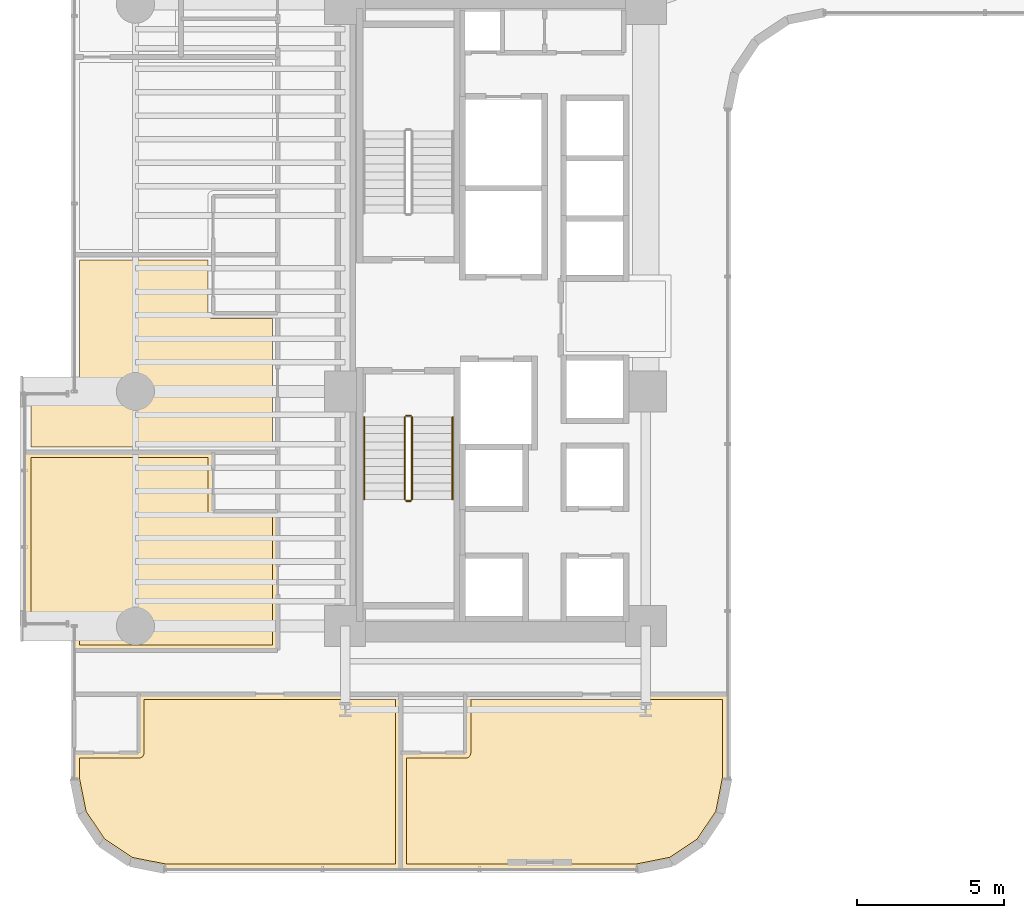
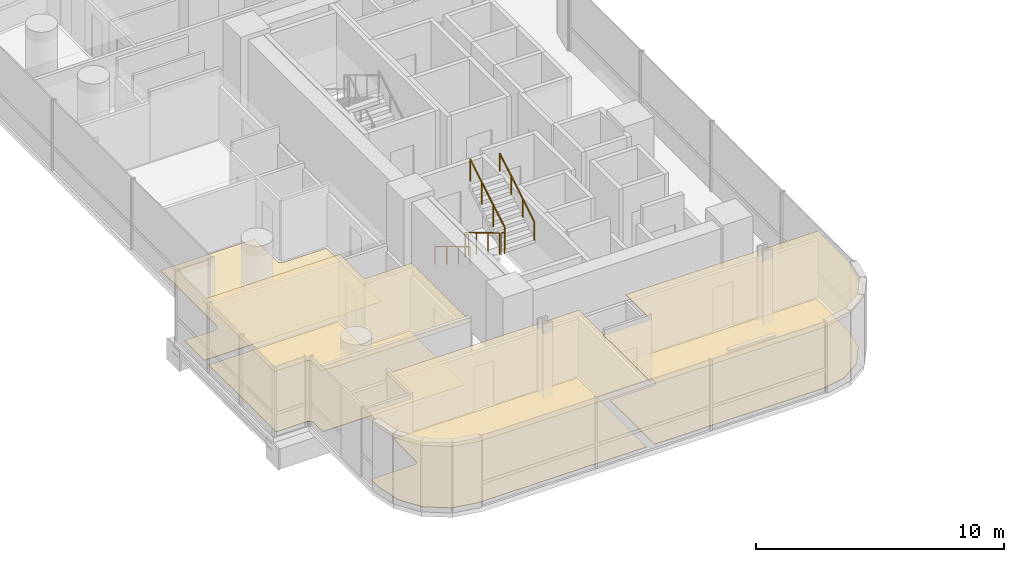
# One storey, part 36 of 41: 7 coverings, 6 railings.
"""IFC4 building model written with IfcOpenShell, lengths in metres."""

import ifcopenshell
import ifcopenshell.guid

model = None  # the IFC model being written
_history = None  # IfcOwnerHistory: only IFC2X3 demands one
_inside = {}  # id of a spatial element -> (the spatial element, [elements in it])
_under = {}  # id of a project, library or spatial element -> (it, [spatial elements below it])
_declared = {}  # id of a project -> (the project, [libraries it declares])
_typed = {}  # id of a type object -> (the type object, [elements of that type])
_made_of = {}  # id of a material, layer set ... -> (it, [elements and type objects made of it])


def new_model(schema):
    """Start an empty IFC model of exactly this schema.

    Asked for "IFC4X3", IfcOpenShell would pick the latest addendum, in which some entities
    have other attributes; the version numbers below select the first issue.
    IFC2X3 requires an IfcOwnerHistory on every rooted entity: one is made here for all.
    """
    global model, _history
    if schema == "IFC4X3":
        model = ifcopenshell.file(schema_version=(4, 3, 0, 0))
    else:
        model = ifcopenshell.file(schema=schema)
    _inside.clear()
    _under.clear()
    _declared.clear()
    _typed.clear()
    _made_of.clear()
    _history = None
    if model.schema == "IFC2X3":
        org = make("IfcOrganization", Name="unknown")
        user = make(
            "IfcPersonAndOrganization",
            ThePerson=make("IfcPerson", FamilyName="unknown"),
            TheOrganization=org,
        )
        app = make(
            "IfcApplication",
            ApplicationDeveloper=org,
            Version="unknown",
            ApplicationFullName="unknown",
            ApplicationIdentifier="unknown",
        )
        _history = make(
            "IfcOwnerHistory",
            OwningUser=user,
            OwningApplication=app,
            ChangeAction="ADDED",
            CreationDate=0,
        )
    return model


def make(cls, **values):
    """One entity of the class cls with the attributes given. An attribute that is None is left unset."""
    return model.create_entity(
        cls, **{name: value for name, value in values.items() if value is not None}
    )


def rooted(cls, **values):
    """An entity with a GlobalId (a new one), such as an element, a storey or a relation."""
    return make(cls, GlobalId=ifcopenshell.guid.new(), OwnerHistory=_history, **values)


def si_unit(unit_type, name, prefix=None):
    """IfcSIUnit, for example si_unit("LENGTHUNIT", "METRE", prefix="MILLI")."""
    return make("IfcSIUnit", UnitType=unit_type, Prefix=prefix, Name=name)


def assignment(units):
    """IfcUnitAssignment: the units of a project."""
    return None if units is None else make("IfcUnitAssignment", Units=units)


def point(xyz):
    """IfcCartesianPoint."""
    return None if xyz is None else make("IfcCartesianPoint", Coordinates=xyz)


def direction(xyz):
    """IfcDirection."""
    return None if xyz is None else make("IfcDirection", DirectionRatios=xyz)


def frame(location, z_axis=None, x_axis=None):
    """IfcAxis2Placement3D, a coordinate frame: its origin and axes. An axis left out is left unset."""
    return make(
        "IfcAxis2Placement3D",
        Location=point(location),
        Axis=direction(z_axis),
        RefDirection=direction(x_axis),
    )


def frame_2d(location, x_axis=None):
    """IfcAxis2Placement2D, a coordinate frame in the plane: its origin and x axis."""
    return make(
        "IfcAxis2Placement2D", Location=point(location), RefDirection=direction(x_axis)
    )


def origin():
    """The frame at (0, 0, 0) with its axes left unset."""
    return frame((0.0, 0.0, 0.0))


def origin_2d():
    """The frame at (0, 0) in the plane with its x axis left unset."""
    return frame_2d((0.0, 0.0))


def place(relative_to, where):
    """IfcLocalPlacement: puts the frame where relative to a parent placement (None: the world)."""
    return make(
        "IfcLocalPlacement", PlacementRelTo=relative_to, RelativePlacement=where
    )


def context(
    kind, dimensions, precision=None, world=None, true_north=None, identifier=None
):
    """IfcGeometricRepresentationContext, for example the 3D "Model" context."""
    return make(
        "IfcGeometricRepresentationContext",
        ContextIdentifier=identifier,
        ContextType=kind,
        CoordinateSpaceDimension=dimensions,
        Precision=precision,
        WorldCoordinateSystem=world,
        TrueNorth=true_north,
    )


def subcontext(parent, identifier, kind, view, scale=None):
    """IfcGeometricRepresentationSubContext, for example "Body" below "Model"."""
    return make(
        "IfcGeometricRepresentationSubContext",
        ContextIdentifier=identifier,
        ContextType=kind,
        ParentContext=parent,
        TargetScale=scale,
        TargetView=view,
    )


def project(units=None, contexts=None):
    """IfcProject with its units and contexts."""
    return rooted(
        "IfcProject",
        Name="project",
        RepresentationContexts=contexts,
        UnitsInContext=assignment(units),
    )


def spatial(cls, under=None, at=None, **own):
    """A site, building, storey or space (cls), placed at a placement, below another one or the project."""
    s = rooted(cls, ObjectPlacement=at, **own)
    if under is not None:
        _under.setdefault(under.id(), (under, []))[1].append(s)
    return s


def polyline(points):
    """IfcPolyline through the points."""
    return make("IfcPolyline", Points=[point(p) for p in points])


def profile(cls, at=None, kind="AREA", **sizes):
    """A parametric profile (cls). Its sizes go by their IFC names, for example OverallWidth=200.0."""
    return make(cls, ProfileType=kind, Position=at, **sizes)


def circle(**sizes):
    """IfcCircleProfileDef."""
    return profile("IfcCircleProfileDef", **sizes)


def outline(outer, holes=None, kind="AREA"):
    """IfcArbitraryClosedProfileDef: a profile drawn as a closed curve; with holes, ...WithVoids."""
    if holes is None:
        return make("IfcArbitraryClosedProfileDef", ProfileType=kind, OuterCurve=outer)
    return make(
        "IfcArbitraryProfileDefWithVoids",
        ProfileType=kind,
        OuterCurve=outer,
        InnerCurves=holes,
    )


def extrude(swept, where, along, depth):
    """IfcExtrudedAreaSolid: the profile swept, set in the frame where, extruded along a direction by depth."""
    return make(
        "IfcExtrudedAreaSolid",
        SweptArea=swept,
        Position=where,
        ExtrudedDirection=direction(along),
        Depth=depth,
    )


def shape(context_of_items, identifier, shape_type, items):
    """IfcShapeRepresentation: the items that make up one representation, for example the "Body"."""
    return make(
        "IfcShapeRepresentation",
        ContextOfItems=context_of_items,
        RepresentationIdentifier=identifier,
        RepresentationType=shape_type,
        Items=items,
    )


def material(Name=None, Category=None):
    """IfcMaterial."""
    return make("IfcMaterial", Name=Name, Category=Category)


def layer(
    of_material, thickness, ventilated=None, Name=None, Category=None, Priority=None
):
    """IfcMaterialLayer: one layer of a wall or slab, of a material (None: an air gap)."""
    return make(
        "IfcMaterialLayer",
        Material=of_material,
        LayerThickness=thickness,
        IsVentilated=ventilated,
        Name=Name,
        Category=Category,
        Priority=Priority,
    )


def layer_set(layers, Name=None):
    """IfcMaterialLayerSet."""
    return make("IfcMaterialLayerSet", MaterialLayers=layers, LayerSetName=Name)


def made_of(thing, what):
    """Note that an element or type object is made of a material, layer set ...; save() writes the relation."""
    if what is not None:
        _made_of.setdefault(what.id(), (what, []))[1].append(thing)
    return thing


def type_object(cls, material=None, **own):
    """A type object (cls), such as IfcWallType, which elements share."""
    return made_of(rooted(cls, **own), material)


def element(
    cls,
    number,
    at=None,
    inside=None,
    cuts=None,
    type_object=None,
    material=None,
    context=None,
    identifier="Body",
    shape_type=None,
    held_by="IfcProductDefinitionShape",
    body=None,
    shapes=None,
    **own,
):
    """One element of the class cls, such as IfcWall. Its Tag is "e" and its number.

    at: its placement. inside: the storey or other place that contains it. cuts: it is an
    opening in that element (IfcRelVoidsElement). A single representation is given by context,
    identifier, shape_type and body (its items); several are given by shapes. held_by: the class
    of the entity that holds the representations. save() writes the other relations.
    """
    e = rooted(cls, Tag="e%d" % number, ObjectPlacement=at, **own)
    if body is not None:
        shapes = [shape(context, identifier, shape_type, body)]
    if shapes is not None:
        e.Representation = make(held_by, Representations=shapes)
    if inside is not None:
        _inside.setdefault(inside.id(), (inside, []))[1].append(e)
    if cuts is not None:
        rooted(
            "IfcRelVoidsElement", RelatingBuildingElement=cuts, RelatedOpeningElement=e
        )
    if type_object is not None:
        _typed.setdefault(type_object.id(), (type_object, []))[1].append(e)
    return made_of(e, material)


def aggregate(whole, parts):
    """IfcRelAggregates: a whole, such as a stair, and the parts it consists of."""
    return rooted("IfcRelAggregates", RelatingObject=whole, RelatedObjects=parts)


def save(model, path):
    """Write the relations noted so far, then the file.

    IfcRelAggregates (storeys below a building ...), IfcRelContainedInSpatialStructure (elements
    in a storey), IfcRelDefinesByType, IfcRelAssociatesMaterial and IfcRelDeclares: one each for
    every whole, place, type object, material and project.
    """
    for whole, parts in _under.values():
        aggregate(whole, parts)
    for where, things in _inside.values():
        rooted(
            "IfcRelContainedInSpatialStructure",
            RelatedElements=things,
            RelatingStructure=where,
        )
    for kind, things in _typed.values():
        rooted("IfcRelDefinesByType", RelatedObjects=things, RelatingType=kind)
    for what, things in _made_of.values():
        rooted("IfcRelAssociatesMaterial", RelatedObjects=things, RelatingMaterial=what)
    for by, libraries in _declared.values():
        rooted("IfcRelDeclares", RelatingContext=by, RelatedDefinitions=libraries)
    model.write(path)


model = new_model("IFC4")

# Units and contexts
model_context = context("Model", 3, precision=1e-05, world=origin(), true_north=direction((0.0, 1.0)))
body_context = subcontext(model_context, "Body", "Model", "MODEL_VIEW")
ifc_project = project(units=[si_unit("LENGTHUNIT", "METRE"), si_unit("AREAUNIT", "SQUARE_METRE"), si_unit("VOLUMEUNIT", "CUBIC_METRE"), si_unit("PLANEANGLEUNIT", "RADIAN"), si_unit("MASSUNIT", "GRAM", prefix="KILO")], contexts=[model_context])

# Site, building, storey
site_placement = place(None, origin())
site = spatial("IfcSite", under=ifc_project, at=site_placement, CompositionType="ELEMENT")
building_placement = place(site_placement, origin())
building = spatial("IfcBuilding", under=site, at=building_placement, Name="Valdorenza Pilgrim Sanctuary Tower", CompositionType="ELEMENT")
storey_placement = place(building_placement, frame((0.0, 0.0, 59.300048828125)))
storey = spatial("IfcBuildingStorey", under=building, at=storey_placement, Name="L14", CompositionType="ELEMENT", Elevation=59.300048828125)

# Coverings
ifc_material_1 = material(Name="Micro-perforated acoustic mineral ceiling tile", Category="gypsum")
ifc_layer_1 = layer(ifc_material_1, 0.02490234375, Name="Micro-perforated acoustic mineral ceiling tile")
ifc_layer_set_1 = layer_set([ifc_layer_1], Name="Micro-perforated acoustic mineral ceiling tile")
covering_type_1 = type_object("IfcCoveringType", Name="COV-CLG-ACU", PredefinedType="CEILING", material=ifc_layer_set_1)
covering_1_placement = place(storey_placement, frame((0.0, 0.0, 3.159912109375)))
element("IfcCovering", 1, at=covering_1_placement, inside=storey, type_object=covering_type_1, Name="L14 Sanctuary Guest Room L14-W1 Acoustic Ceiling", PredefinedType="CEILING", context=body_context, shape_type="SweptSolid", body=[
    extrude(outline(polyline([(-31.905029296875, -10.600341796875), (-31.905517578125, -10.5908203125), (-31.90673828125, -10.58154296875), (-31.9091796875, -10.572509765625), (-31.912109375, -10.563720703125), (-31.916259765625, -10.55517578125), (-31.9208984375, -10.547119140625), (-31.926513671875, -10.539794921875), (-31.932861328125, -10.53271484375), (-31.939697265625, -10.526611328125), (-31.947265625, -10.52099609375), (-31.955078125, -10.51611328125), (-31.963623046875, -10.51220703125), (-31.972412109375, -10.509033203125), (-31.9814453125, -10.5068359375), (-31.99072265625, -10.505615234375), (-32.00048828125, -10.5048828125), (-33.5400390625, -10.5048828125), (-33.54150390625, -10.5048828125), (-33.54296875, -10.504638671875), (-33.54443359375, -10.50439453125), (-33.545654296875, -10.50390625), (-33.547119140625, -10.503173828125), (-33.54833984375, -10.50244140625), (-33.549560546875, -10.501708984375), (-33.550537109375, -10.50048828125), (-33.551513671875, -10.49951171875), (-33.552490234375, -10.498291015625), (-33.55322265625, -10.4970703125), (-33.553955078125, -10.49560546875), (-33.554443359375, -10.494384765625), (-33.5546875, -10.492919921875), (-33.554931640625, -10.491455078125), (-33.554931640625, -10.489990234375), (-33.554931640625, -4.679931640625), (-33.554931640625, -4.678466796875), (-33.5546875, -4.677001953125), (-33.554443359375, -4.675537109375), (-33.553955078125, -4.67431640625), (-33.55322265625, -4.6728515625), (-33.552490234375, -4.671630859375), (-33.551513671875, -4.67041015625), (-33.550537109375, -4.66943359375), (-33.549560546875, -4.66845703125), (-33.54833984375, -4.66748046875), (-33.547119140625, -4.666748046875), (-33.545654296875, -4.666015625), (-33.54443359375, -4.66552734375), (-33.54296875, -4.665283203125), (-33.54150390625, -4.6650390625), (-33.5400390625, -4.6650390625), (-27.152099609375, -4.6650390625), (-27.150390625, -4.6650390625), (-27.149169921875, -4.665283203125), (-27.147705078125, -4.66552734375), (-27.146240234375, -4.666015625), (-27.14501953125, -4.666748046875), (-27.143798828125, -4.66748046875), (-27.142578125, -4.66845703125), (-27.141357421875, -4.66943359375), (-27.140380859375, -4.67041015625), (-27.139404296875, -4.671630859375), (-27.138916015625, -4.6728515625), (-27.13818359375, -4.67431640625), (-27.1376953125, -4.675537109375), (-27.13720703125, -4.677001953125), (-27.13720703125, -4.678466796875), (-27.136962890625, -4.679931640625), (-27.136962890625, -6.6669921875), (-24.949951171875, -6.6669921875), (-24.948486328125, -6.6669921875), (-24.947021484375, -6.667236328125), (-24.945556640625, -6.66748046875), (-24.9443359375, -6.668212890625), (-24.94287109375, -6.668701171875), (-24.941650390625, -6.66943359375), (-24.9404296875, -6.67041015625), (-24.939453125, -6.67138671875), (-24.9384765625, -6.672607421875), (-24.9375, -6.673583984375), (-24.936767578125, -6.6748046875), (-24.93603515625, -6.67626953125), (-24.935546875, -6.677490234375), (-24.935302734375, -6.67919921875), (-24.93505859375, -6.680419921875), (-24.93505859375, -6.681884765625), (-24.93505859375, -11.419921875), (-24.93505859375, -11.42138671875), (-24.935302734375, -11.4228515625), (-24.935546875, -11.42431640625), (-24.93603515625, -11.42578125), (-24.936767578125, -11.427001953125), (-24.9375, -11.42822265625), (-24.9384765625, -11.429443359375), (-24.939453125, -11.4306640625), (-24.9404296875, -11.431640625), (-24.941650390625, -11.4326171875), (-24.94287109375, -11.43310546875), (-24.9443359375, -11.433837890625), (-24.945556640625, -11.434326171875), (-24.947021484375, -11.434814453125), (-24.948486328125, -11.434814453125), (-24.949951171875, -11.43505859375), (-31.889892578125, -11.43505859375), (-31.8916015625, -11.434814453125), (-31.892822265625, -11.434814453125), (-31.894287109375, -11.434326171875), (-31.895751953125, -11.433837890625), (-31.897216796875, -11.43310546875), (-31.898193359375, -11.4326171875), (-31.8994140625, -11.431640625), (-31.900634765625, -11.4306640625), (-31.901611328125, -11.429443359375), (-31.902587890625, -11.42822265625), (-31.9033203125, -11.427001953125), (-31.90380859375, -11.42578125), (-31.904296875, -11.42431640625), (-31.90478515625, -11.4228515625), (-31.90478515625, -11.42138671875), (-31.905029296875, -11.419921875), (-31.905029296875, -10.600341796875)])), origin(), (0.0, 0.0, 1.0), 0.025146484375),
])
covering_2_placement = place(storey_placement, frame((0.0, 0.0, 3.159912109375)))
element("IfcCovering", 2, at=covering_2_placement, inside=storey, type_object=covering_type_1, Name="L14 South Sanctuary Guest Room L14-S1A Acoustic Ceiling", PredefinedType="CEILING", context=body_context, shape_type="SweptSolid", body=[
    extrude(outline(polyline([(-29.702880859375, -14.906982421875), (-29.702880859375, -12.919921875), (-29.702880859375, -12.91845703125), (-29.70263671875, -12.9169921875), (-29.702392578125, -12.91552734375), (-29.701904296875, -12.914306640625), (-29.701171875, -12.912841796875), (-29.700439453125, -12.91162109375), (-29.69970703125, -12.910400390625), (-29.698486328125, -12.909423828125), (-29.697509765625, -12.908447265625), (-29.6962890625, -12.907470703125), (-29.695068359375, -12.90673828125), (-29.693603515625, -12.906005859375), (-29.6923828125, -12.905517578125), (-29.69091796875, -12.9052734375), (-29.689453125, -12.905029296875), (-29.68798828125, -12.905029296875), (-20.75, -12.905029296875), (-20.74853515625, -12.905029296875), (-20.7470703125, -12.9052734375), (-20.74560546875, -12.905517578125), (-20.744384765625, -12.906005859375), (-20.742919921875, -12.90673828125), (-20.74169921875, -12.907470703125), (-20.740478515625, -12.908447265625), (-20.739501953125, -12.909423828125), (-20.73828125, -12.910400390625), (-20.737548828125, -12.91162109375), (-20.73681640625, -12.912841796875), (-20.736083984375, -12.914306640625), (-20.735595703125, -12.91552734375), (-20.7353515625, -12.9169921875), (-20.735107421875, -12.91845703125), (-20.735107421875, -12.919921875), (-20.735107421875, -18.889892578125), (-20.735107421875, -18.8916015625), (-20.7353515625, -18.892822265625), (-20.735595703125, -18.894287109375), (-20.736083984375, -18.895751953125), (-20.73681640625, -18.897216796875), (-20.737548828125, -18.898193359375), (-20.73828125, -18.8994140625), (-20.739501953125, -18.900634765625), (-20.740478515625, -18.901611328125), (-20.74169921875, -18.902587890625), (-20.742919921875, -18.9033203125), (-20.744384765625, -18.90380859375), (-20.74560546875, -18.904296875), (-20.7470703125, -18.90478515625), (-20.74853515625, -18.90478515625), (-20.75, -18.905029296875), (-28.789306640625, -18.905029296875), (-28.79052734375, -18.90478515625), (-28.7919921875, -18.90478515625), (-29.984619140625, -18.66748046875), (-29.986083984375, -18.6669921875), (-29.9873046875, -18.66650390625), (-29.98876953125, -18.666015625), (-29.989990234375, -18.665283203125), (-30.99169921875, -17.995849609375), (-30.992919921875, -17.9951171875), (-30.993896484375, -17.993896484375), (-30.9951171875, -17.992919921875), (-30.995849609375, -17.99169921875), (-31.665283203125, -16.989990234375), (-31.666015625, -16.98876953125), (-31.66650390625, -16.9873046875), (-31.6669921875, -16.986083984375), (-31.66748046875, -16.984619140625), (-31.90478515625, -15.7919921875), (-31.90478515625, -15.79052734375), (-31.905029296875, -15.789306640625), (-31.905029296875, -14.922119140625), (-31.90478515625, -14.92041015625), (-31.90478515625, -14.919189453125), (-31.904296875, -14.91748046875), (-31.90380859375, -14.916259765625), (-31.9033203125, -14.914794921875), (-31.902587890625, -14.913818359375), (-31.901611328125, -14.91259765625), (-31.900634765625, -14.911376953125), (-31.8994140625, -14.910400390625), (-31.898193359375, -14.909423828125), (-31.897216796875, -14.90869140625), (-31.895751953125, -14.908203125), (-31.894287109375, -14.90771484375), (-31.892822265625, -14.9072265625), (-31.8916015625, -14.906982421875), (-31.889892578125, -14.906982421875), (-29.702880859375, -14.906982421875)])), origin(), (0.0, 0.0, 1.0), 0.025146484375),
])
covering_3_placement = place(storey_placement, frame((0.0, 0.0, 3.159912109375)))
element("IfcCovering", 3, at=covering_3_placement, inside=storey, type_object=covering_type_1, Name="L14 South Sanctuary Guest Room L14-S1B Acoustic Ceiling", PredefinedType="CEILING", context=body_context, shape_type="SweptSolid", body=[
    extrude(outline(polyline([(-18.56298828125, -14.906982421875), (-18.56298828125, -12.919921875), (-18.56298828125, -12.91845703125), (-18.562744140625, -12.9169921875), (-18.5625, -12.91552734375), (-18.56201171875, -12.914306640625), (-18.561279296875, -12.912841796875), (-18.560546875, -12.91162109375), (-18.5595703125, -12.910400390625), (-18.55859375, -12.909423828125), (-18.5576171875, -12.908447265625), (-18.556396484375, -12.907470703125), (-18.55517578125, -12.90673828125), (-18.5537109375, -12.906005859375), (-18.552490234375, -12.905517578125), (-18.55078125, -12.9052734375), (-18.549560546875, -12.905029296875), (-18.548095703125, -12.905029296875), (-9.610107421875, -12.905029296875), (-9.6083984375, -12.905029296875), (-9.607177734375, -12.9052734375), (-9.605712890625, -12.905517578125), (-9.604248046875, -12.906005859375), (-9.602783203125, -12.90673828125), (-9.601806640625, -12.907470703125), (-9.6005859375, -12.908447265625), (-9.599365234375, -12.909423828125), (-9.598388671875, -12.910400390625), (-9.597412109375, -12.91162109375), (-9.5966796875, -12.912841796875), (-9.59619140625, -12.914306640625), (-9.595703125, -12.91552734375), (-9.59521484375, -12.9169921875), (-9.59521484375, -12.91845703125), (-9.594970703125, -12.919921875), (-9.594970703125, -15.789306640625), (-9.59521484375, -15.79052734375), (-9.59521484375, -15.7919921875), (-9.83251953125, -16.984619140625), (-9.8330078125, -16.986083984375), (-9.83349609375, -16.9873046875), (-9.833984375, -16.98876953125), (-9.834716796875, -16.989990234375), (-10.504150390625, -17.99169921875), (-10.5048828125, -17.992919921875), (-10.506103515625, -17.993896484375), (-10.507080078125, -17.9951171875), (-10.50830078125, -17.995849609375), (-11.510009765625, -18.665283203125), (-11.51123046875, -18.666015625), (-11.5126953125, -18.66650390625), (-11.513916015625, -18.6669921875), (-11.515380859375, -18.66748046875), (-12.7080078125, -18.90478515625), (-12.70947265625, -18.90478515625), (-12.710693359375, -18.905029296875), (-20.748046875, -18.905029296875), (-20.74951171875, -18.90478515625), (-20.7509765625, -18.90478515625), (-20.75244140625, -18.904296875), (-20.753662109375, -18.90380859375), (-20.755126953125, -18.9033203125), (-20.75634765625, -18.902587890625), (-20.757568359375, -18.901611328125), (-20.758544921875, -18.900634765625), (-20.759521484375, -18.8994140625), (-20.760498046875, -18.898193359375), (-20.76123046875, -18.897216796875), (-20.761962890625, -18.895751953125), (-20.762451171875, -18.894287109375), (-20.7626953125, -18.892822265625), (-20.762939453125, -18.8916015625), (-20.762939453125, -18.889892578125), (-20.762939453125, -14.922119140625), (-20.762939453125, -14.92041015625), (-20.7626953125, -14.919189453125), (-20.762451171875, -14.91748046875), (-20.761962890625, -14.916259765625), (-20.76123046875, -14.914794921875), (-20.760498046875, -14.913818359375), (-20.759521484375, -14.91259765625), (-20.758544921875, -14.911376953125), (-20.757568359375, -14.910400390625), (-20.75634765625, -14.909423828125), (-20.755126953125, -14.90869140625), (-20.753662109375, -14.908203125), (-20.75244140625, -14.90771484375), (-20.7509765625, -14.9072265625), (-20.74951171875, -14.906982421875), (-20.748046875, -14.906982421875), (-18.56298828125, -14.906982421875)])), origin(), (0.0, 0.0, 1.0), 0.025146484375),
])
ifc_material_2 = material(Name="Engineered European oak timber flooring", Category="wood")
ifc_layer_2 = layer(ifc_material_2, 0.02197265625, Name="Engineered European oak timber flooring")
ifc_layer_set_2 = layer_set([ifc_layer_2], Name="Engineered European oak timber flooring")
covering_type_2 = type_object("IfcCoveringType", Name="COV-FLR-OAK", PredefinedType="FLOORING", material=ifc_layer_set_2)
covering_4_placement = place(storey_placement, origin())
element("IfcCovering", 4, at=covering_4_placement, inside=storey, type_object=covering_type_2, Name="L14 Sanctuary Guest Room L14-W1 Flooring", PredefinedType="FLOORING", context=body_context, shape_type="SweptSolid", body=[
    extrude(outline(polyline([(-31.7099609375, -10.60009765625), (-31.710205078125, -10.59130859375), (-31.710693359375, -10.580322265625), (-31.71240234375, -10.562744140625), (-31.714111328125, -10.552001953125), (-31.717529296875, -10.534912109375), (-31.72021484375, -10.5244140625), (-31.725341796875, -10.50732421875), (-31.72900390625, -10.497314453125), (-31.735595703125, -10.48095703125), (-31.740234375, -10.47119140625), (-31.74853515625, -10.45556640625), (-31.754150390625, -10.4462890625), (-31.763916015625, -10.431640625), (-31.7705078125, -10.423095703125), (-31.781494140625, -10.4091796875), (-31.788818359375, -10.4013671875), (-31.80126953125, -10.388916015625), (-31.809326171875, -10.381591796875), (-31.822998046875, -10.370361328125), (-31.831787109375, -10.364013671875), (-31.84619140625, -10.35400390625), (-31.855712890625, -10.3486328125), (-31.87109375, -10.34033203125), (-31.880859375, -10.335693359375), (-31.897216796875, -10.328857421875), (-31.907470703125, -10.3251953125), (-31.92431640625, -10.320068359375), (-31.934814453125, -10.3173828125), (-31.9521484375, -10.314208984375), (-31.962890625, -10.3125), (-31.98046875, -10.310791015625), (-31.9912109375, -10.310302734375), (-32.0, -10.31005859375), (-33.360107421875, -10.31005859375), (-33.360107421875, -4.860107421875), (-27.33203125, -4.860107421875), (-27.33203125, -6.679931640625), (-27.331787109375, -6.688720703125), (-27.331787109375, -6.68896484375), (-27.330078125, -6.70654296875), (-27.330078125, -6.706787109375), (-27.32666015625, -6.72412109375), (-27.326416015625, -6.724365234375), (-27.3212890625, -6.7412109375), (-27.3212890625, -6.741455078125), (-27.314697265625, -6.7578125), (-27.314453125, -6.7578125), (-27.30615234375, -6.7734375), (-27.30615234375, -6.773681640625), (-27.296142578125, -6.788330078125), (-27.296142578125, -6.78857421875), (-27.284912109375, -6.802001953125), (-27.284912109375, -6.80224609375), (-27.272216796875, -6.814697265625), (-27.272216796875, -6.81494140625), (-27.258544921875, -6.826171875), (-27.25830078125, -6.826171875), (-27.24365234375, -6.836181640625), (-27.243408203125, -6.836181640625), (-27.227783203125, -6.844482421875), (-27.227783203125, -6.844482421875), (-27.21142578125, -6.851318359375), (-27.211181640625, -6.851318359375), (-27.1943359375, -6.8564453125), (-27.194091796875, -6.856689453125), (-27.1767578125, -6.860107421875), (-27.176513671875, -6.860107421875), (-27.158935546875, -6.86181640625), (-27.15869140625, -6.86181640625), (-27.14990234375, -6.862060546875), (-25.1298828125, -6.862060546875), (-25.1298828125, -11.239990234375), (-31.7099609375, -11.239990234375), (-31.7099609375, -10.60009765625)])), origin(), (0.0, 0.0, 1.0), 0.02490234375),
])
covering_5_placement = place(storey_placement, origin())
element("IfcCovering", 5, at=covering_5_placement, inside=storey, type_object=covering_type_2, Name="L14 Sanctuary Guest Room L14-W2 Flooring", PredefinedType="FLOORING", context=body_context, shape_type="SweptSolid", body=[
    extrude(outline(polyline([(-33.360107421875, -2.889892578125), (-32.0, -2.889892578125), (-31.9912109375, -2.889892578125), (-31.98046875, -2.889404296875), (-31.962890625, -2.887451171875), (-31.9521484375, -2.885986328125), (-31.934814453125, -2.882568359375), (-31.92431640625, -2.8798828125), (-31.907470703125, -2.874755859375), (-31.897216796875, -2.87109375), (-31.880859375, -2.8642578125), (-31.87109375, -2.859619140625), (-31.855712890625, -2.851318359375), (-31.84619140625, -2.845947265625), (-31.831787109375, -2.8359375), (-31.822998046875, -2.82958984375), (-31.809326171875, -2.818359375), (-31.80126953125, -2.811279296875), (-31.788818359375, -2.798583984375), (-31.781494140625, -2.790771484375), (-31.7705078125, -2.777099609375), (-31.763916015625, -2.768310546875), (-31.754150390625, -2.753662109375), (-31.74853515625, -2.744384765625), (-31.740234375, -2.728759765625), (-31.735595703125, -2.718994140625), (-31.72900390625, -2.70263671875), (-31.725341796875, -2.692626953125), (-31.72021484375, -2.67578125), (-31.717529296875, -2.665283203125), (-31.714111328125, -2.64794921875), (-31.71240234375, -2.63720703125), (-31.710693359375, -2.61962890625), (-31.710205078125, -2.60888671875), (-31.7099609375, -2.60009765625), (-31.7099609375, 1.8798828125), (-27.33203125, 1.8798828125), (-27.33203125, 0.06005859375), (-27.331787109375, 0.05126953125), (-27.331787109375, 0.051025390625), (-27.330078125, 0.033447265625), (-27.330078125, 0.033203125), (-27.32666015625, 0.015869140625), (-27.326416015625, 0.015625), (-27.3212890625, -0.001220703125), (-27.3212890625, -0.00146484375), (-27.314697265625, -0.017578125), (-27.314453125, -0.017822265625), (-27.30615234375, -0.033447265625), (-27.30615234375, -0.03369140625), (-27.296142578125, -0.04833984375), (-27.296142578125, -0.048583984375), (-27.284912109375, -0.06201171875), (-27.284912109375, -0.062255859375), (-27.272216796875, -0.07470703125), (-27.272216796875, -0.074951171875), (-27.258544921875, -0.086181640625), (-27.25830078125, -0.086181640625), (-27.24365234375, -0.09619140625), (-27.243408203125, -0.09619140625), (-27.227783203125, -0.1044921875), (-27.227783203125, -0.1044921875), (-27.21142578125, -0.111328125), (-27.211181640625, -0.111328125), (-27.1943359375, -0.116455078125), (-27.194091796875, -0.11669921875), (-27.1767578125, -0.1201171875), (-27.176513671875, -0.1201171875), (-27.158935546875, -0.121826171875), (-27.15869140625, -0.121826171875), (-27.14990234375, -0.1220703125), (-25.1298828125, -0.1220703125), (-25.1298828125, -4.498046875), (-27.14990234375, -4.498046875), (-27.15087890625, -4.498046875), (-27.151611328125, -4.498046875), (-27.152099609375, -4.498046875), (-33.360107421875, -4.498046875), (-33.360107421875, -2.889892578125)])), origin(), (0.0, 0.0, 1.0), 0.02490234375),
])
covering_6_placement = place(storey_placement, origin())
element("IfcCovering", 6, at=covering_6_placement, inside=storey, type_object=covering_type_2, Name="L14 South Sanctuary Guest Room L14-S1A Flooring", PredefinedType="FLOORING", context=body_context, shape_type="SweptSolid", body=[
    extrude(outline(polyline([(-28.771484375, -18.7099609375), (-29.911376953125, -18.483154296875), (-30.853515625, -17.853515625), (-31.483154296875, -16.911376953125), (-31.7099609375, -15.771484375), (-31.7099609375, -15.10205078125), (-29.68994140625, -15.10205078125), (-29.68115234375, -15.101806640625), (-29.680908203125, -15.101806640625), (-29.663330078125, -15.10009765625), (-29.6630859375, -15.10009765625), (-29.64599609375, -15.0966796875), (-29.645751953125, -15.096435546875), (-29.62890625, -15.09130859375), (-29.628662109375, -15.09130859375), (-29.6123046875, -15.084716796875), (-29.612060546875, -15.08447265625), (-29.596435546875, -15.076171875), (-29.596435546875, -15.076171875), (-29.581787109375, -15.066162109375), (-29.58154296875, -15.066162109375), (-29.56787109375, -15.054931640625), (-29.567626953125, -15.0546875), (-29.55517578125, -15.042236328125), (-29.55517578125, -15.0419921875), (-29.5439453125, -15.028564453125), (-29.543701171875, -15.0283203125), (-29.533935546875, -15.013671875), (-29.53369140625, -15.013427734375), (-29.525390625, -14.997802734375), (-29.525390625, -14.997802734375), (-29.518798828125, -14.9814453125), (-29.5185546875, -14.981201171875), (-29.513427734375, -14.96435546875), (-29.513427734375, -14.964111328125), (-29.510009765625, -14.94677734375), (-29.510009765625, -14.946533203125), (-29.50830078125, -14.928955078125), (-29.50830078125, -14.9287109375), (-29.508056640625, -14.919921875), (-29.508056640625, -13.10009765625), (-20.929931640625, -13.10009765625), (-20.929931640625, -18.7099609375), (-28.771484375, -18.7099609375)])), origin(), (0.0, 0.0, 1.0), 0.02490234375),
])
covering_7_placement = place(storey_placement, origin())
element("IfcCovering", 7, at=covering_7_placement, inside=storey, type_object=covering_type_2, Name="L14 South Sanctuary Guest Room L14-S1B Flooring", PredefinedType="FLOORING", context=body_context, shape_type="SweptSolid", body=[
    extrude(outline(polyline([(-10.016845703125, -16.911376953125), (-10.646484375, -17.853515625), (-11.588623046875, -18.483154296875), (-12.728515625, -18.7099609375), (-20.568115234375, -18.7099609375), (-20.568115234375, -15.10205078125), (-18.550048828125, -15.10205078125), (-18.541259765625, -15.101806640625), (-18.541015625, -15.101806640625), (-18.5234375, -15.10009765625), (-18.523193359375, -15.10009765625), (-18.505859375, -15.0966796875), (-18.505615234375, -15.096435546875), (-18.48876953125, -15.09130859375), (-18.488525390625, -15.09130859375), (-18.472412109375, -15.084716796875), (-18.47216796875, -15.08447265625), (-18.45654296875, -15.076171875), (-18.456298828125, -15.076171875), (-18.441650390625, -15.066162109375), (-18.44140625, -15.066162109375), (-18.427978515625, -15.054931640625), (-18.427734375, -15.0546875), (-18.415283203125, -15.042236328125), (-18.4150390625, -15.0419921875), (-18.40380859375, -15.028564453125), (-18.40380859375, -15.0283203125), (-18.393798828125, -15.013671875), (-18.393798828125, -15.013427734375), (-18.385498046875, -14.997802734375), (-18.385498046875, -14.997802734375), (-18.378662109375, -14.9814453125), (-18.378662109375, -14.981201171875), (-18.37353515625, -14.96435546875), (-18.373291015625, -14.964111328125), (-18.3701171875, -14.94677734375), (-18.3701171875, -14.946533203125), (-18.3681640625, -14.928955078125), (-18.3681640625, -14.9287109375), (-18.367919921875, -14.919921875), (-18.367919921875, -13.10009765625), (-9.7900390625, -13.10009765625), (-9.7900390625, -15.771484375), (-10.016845703125, -16.911376953125)])), origin(), (0.0, 0.0, 1.0), 0.02490234375),
])

# Railings
ifc_material_3 = material(Name="Stainless steel Grade 316", Category="steel")
railing_type_1 = type_object("IfcRailingType", Name="RLG-GRD-1120", PredefinedType="GUARDRAIL", material=ifc_material_3)
railing_1_placement = place(storey_placement, frame((-20.6201171875, -3.47998046875, 0.168212890625)))
element("IfcRailing", 8, at=railing_1_placement, inside=storey, type_object=railing_type_1, Name="L14 ST-A2 stair guard 1", PredefinedType="GUARDRAIL", context=body_context, shape_type="SweptSolid", body=[
    extrude(circle(Radius=0.02392578125, at=origin_2d()), frame((0.0, 0.0, 1.076171875), z_axis=(0.0, -0.857275202839, 0.514858452973), x_axis=(1.0, 0.0, 0.0)), (0.0, 0.0, 1.0), 3.26611328125),
    extrude(circle(Radius=0.02099609375, at=origin_2d()), origin(), (0.0, 0.0, 1.0), 1.052001953125),
    extrude(circle(Radius=0.02099609375, at=origin_2d()), frame((0.0, -0.933349609375, 0.560546875)), (0.0, 0.0, 1.0), 1.052001953125),
    extrude(circle(Radius=0.02099609375, at=origin_2d()), frame((0.0, -1.86669921875, 1.12109375)), (0.0, 0.0, 1.0), 1.052001953125),
    extrude(circle(Radius=0.02099609375, at=origin_2d()), frame((0.0, -2.800048828125, 1.681640625)), (0.0, 0.0, 1.0), 1.052001953125),
])
railing_2_placement = place(storey_placement, frame((-20.570068359375, -6.330078125, 1.849853515625)))
element("IfcRailing", 9, at=railing_2_placement, inside=storey, type_object=railing_type_1, Name="L14 ST-A2 stair guard 2", PredefinedType="GUARDRAIL", context=body_context, shape_type="SweptSolid", body=[
    extrude(circle(Radius=0.02392578125, at=origin_2d()), frame((0.0, 0.0, 1.076171875), z_axis=(1.0, 0.0, 0.0), x_axis=(0.0, 1.0, 0.0)), (0.0, 0.0, 1.0), 0.150146484375),
    extrude(circle(Radius=0.02099609375, at=origin_2d()), origin(), (0.0, 0.0, 1.0), 1.052001953125),
    extrude(circle(Radius=0.02099609375, at=origin_2d()), frame((0.150146484375, 0.0, 0.0)), (0.0, 0.0, 1.0), 1.052001953125),
])
railing_3_placement = place(storey_placement, frame((-20.3701171875, -6.280029296875, 2.01806640625)))
element("IfcRailing", 10, at=railing_3_placement, inside=storey, type_object=railing_type_1, Name="L14 ST-A2 stair guard 3", PredefinedType="GUARDRAIL", context=body_context, shape_type="SweptSolid", body=[
    extrude(circle(Radius=0.02392578125, at=origin_2d()), frame((0.0, 0.0, 1.076171875), z_axis=(0.0, 0.857242210791, 0.514913383045), x_axis=(-1.0, 0.0, 0.0)), (0.0, 0.0, 1.0), 3.266357421875),
    extrude(circle(Radius=0.02099609375, at=origin_2d()), origin(), (0.0, 0.0, 1.0), 1.052001953125),
    extrude(circle(Radius=0.02099609375, at=origin_2d()), frame((0.0, 0.933349609375, 0.560546875)), (0.0, 0.0, 1.0), 1.052001953125),
    extrude(circle(Radius=0.02099609375, at=origin_2d()), frame((0.0, 1.86669921875, 1.121337890625)), (0.0, 0.0, 1.0), 1.052001953125),
    extrude(circle(Radius=0.02099609375, at=origin_2d()), frame((0.0, 2.800048828125, 1.681884765625)), (0.0, 0.0, 1.0), 1.052001953125),
])
railing_4_placement = place(storey_placement, frame((-20.570068359375, -3.429931640625, 0.0)))
element("IfcRailing", 11, at=railing_4_placement, inside=storey, type_object=railing_type_1, Name="L14 ST-A2 stair guard 4", PredefinedType="GUARDRAIL", context=body_context, shape_type="SweptSolid", body=[
    extrude(circle(Radius=0.02392578125, at=origin_2d()), frame((0.0, 0.0, 1.076171875), z_axis=(1.0, 0.0, 0.0), x_axis=(0.0, 1.0, 0.0)), (0.0, 0.0, 1.0), 0.150146484375),
    extrude(circle(Radius=0.02099609375, at=origin_2d()), origin(), (0.0, 0.0, 1.0), 1.052001953125),
    extrude(circle(Radius=0.02099609375, at=origin_2d()), frame((0.150146484375, 0.0, 0.0)), (0.0, 0.0, 1.0), 1.052001953125),
])
ifc_material_4 = material(Name="Brushed stainless steel Grade 316", Category="steel")
railing_type_2 = type_object("IfcRailingType", Name="RLG-HND-920", PredefinedType="HANDRAIL", material=ifc_material_4)
railing_5_placement = place(storey_placement, frame((-22.0, -3.47998046875, 0.168212890625)))
element("IfcRailing", 12, at=railing_5_placement, inside=storey, type_object=railing_type_2, Name="L14 ST-A2 stair handrail 1", PredefinedType="HANDRAIL", context=body_context, shape_type="SweptSolid", body=[
    extrude(circle(Radius=0.02392578125, at=origin_2d()), frame((0.0, 0.0, 0.8759765625), z_axis=(0.0, -0.857275202839, 0.514858452973), x_axis=(1.0, 0.0, 0.0)), (0.0, 0.0, 1.0), 3.26611328125),
    extrude(circle(Radius=0.02099609375, at=origin_2d()), origin(), (0.0, 0.0, 1.0), 0.851806640625),
    extrude(circle(Radius=0.02099609375, at=origin_2d()), frame((0.0, -0.933349609375, 0.560546875)), (0.0, 0.0, 1.0), 0.851806640625),
    extrude(circle(Radius=0.02099609375, at=origin_2d()), frame((0.0, -1.86669921875, 1.12109375)), (0.0, 0.0, 1.0), 0.851806640625),
    extrude(circle(Radius=0.02099609375, at=origin_2d()), frame((0.0, -2.800048828125, 1.681640625)), (0.0, 0.0, 1.0), 0.851806640625),
])
railing_6_placement = place(storey_placement, frame((-18.989990234375, -6.280029296875, 2.01806640625)))
element("IfcRailing", 13, at=railing_6_placement, inside=storey, type_object=railing_type_2, Name="L14 ST-A2 stair handrail 2", PredefinedType="HANDRAIL", context=body_context, shape_type="SweptSolid", body=[
    extrude(circle(Radius=0.02392578125, at=origin_2d()), frame((0.0, 0.0, 0.8759765625), z_axis=(0.0, 0.857242210791, 0.514913383045), x_axis=(-1.0, 0.0, 0.0)), (0.0, 0.0, 1.0), 3.266357421875),
    extrude(circle(Radius=0.02099609375, at=origin_2d()), origin(), (0.0, 0.0, 1.0), 0.851806640625),
    extrude(circle(Radius=0.02099609375, at=origin_2d()), frame((0.0, 0.933349609375, 0.560546875)), (0.0, 0.0, 1.0), 0.851806640625),
    extrude(circle(Radius=0.02099609375, at=origin_2d()), frame((0.0, 1.86669921875, 1.121337890625)), (0.0, 0.0, 1.0), 0.851806640625),
    extrude(circle(Radius=0.02099609375, at=origin_2d()), frame((0.0, 2.800048828125, 1.681884765625)), (0.0, 0.0, 1.0), 0.851806640625),
])

save(model, "model.ifc")
